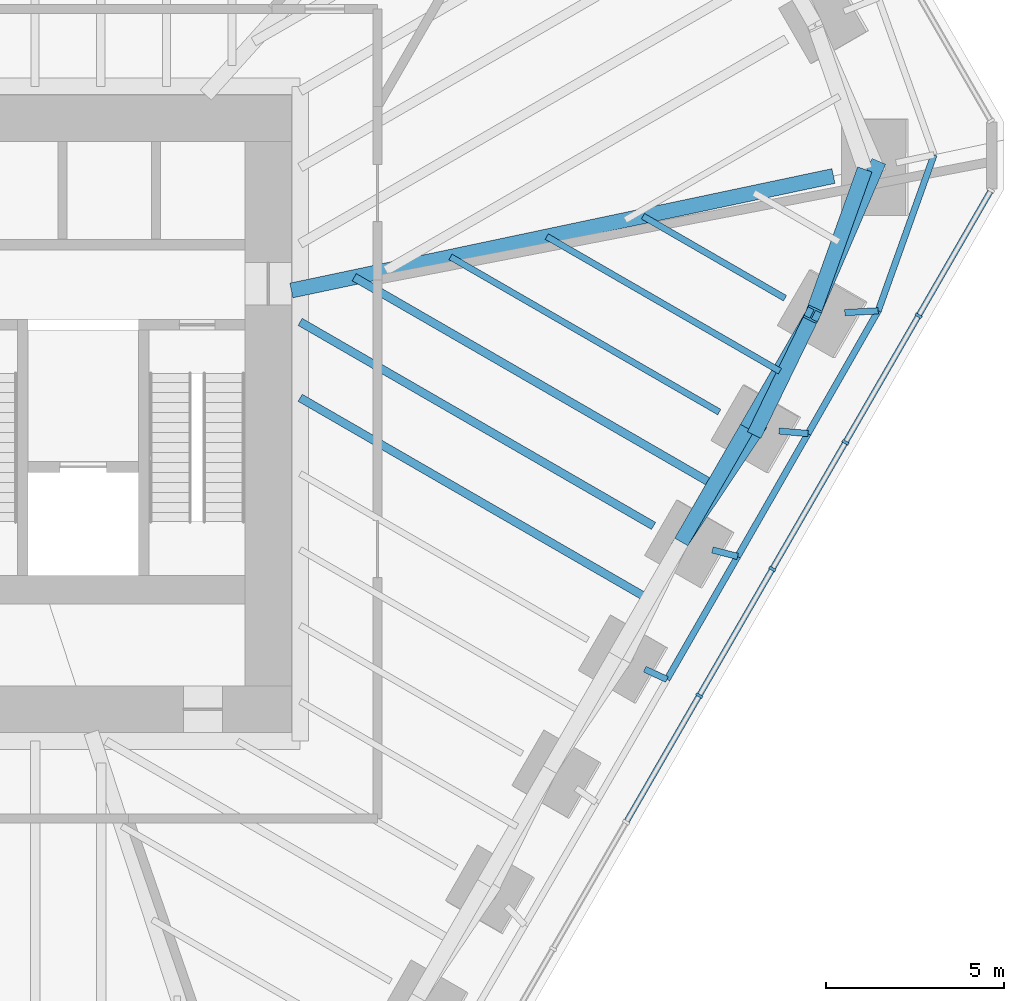
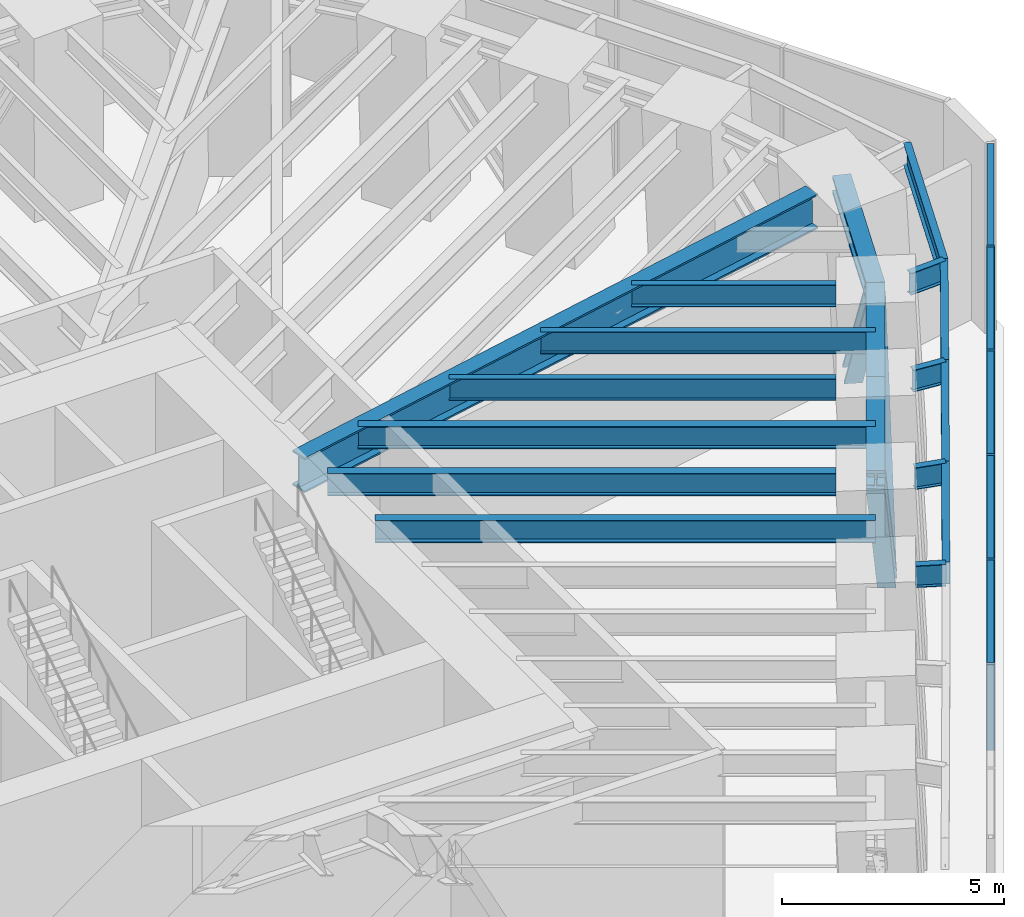
# One storey, part 5 of 12: 18 beams, 12 members, 1 element without a shape of its own.
"""IFC4 building model written with IfcOpenShell, lengths in metres."""

from ifc_helpers import new_model, si_unit, direction, frame, origin, origin_2d, place, context, subcontext, project, spatial, rectangle, i_section, extrude, material, material_profile, profile_set, type_object, element, aggregate, save


model = new_model("IFC4")

# Units and contexts
model_context = context("Model", 3, precision=1e-05, world=origin(), true_north=direction((0.0, 1.0)))
body_context = subcontext(model_context, "Body", "Model", "MODEL_VIEW")
ifc_project = project(units=[si_unit("LENGTHUNIT", "METRE"), si_unit("AREAUNIT", "SQUARE_METRE"), si_unit("VOLUMEUNIT", "CUBIC_METRE"), si_unit("PLANEANGLEUNIT", "RADIAN"), si_unit("MASSUNIT", "GRAM", prefix="KILO")], contexts=[model_context])

# Site, building, storey
site_placement = place(None, origin())
site = spatial("IfcSite", under=ifc_project, at=site_placement, CompositionType="ELEMENT")
building_placement = place(site_placement, origin())
building = spatial("IfcBuilding", under=site, at=building_placement, Name="Sandreach Pilgrim Tower", CompositionType="ELEMENT")
storey_placement = place(building_placement, frame((0.0, 0.0, 172.800048828125)))
storey = spatial("IfcBuildingStorey", under=building, at=storey_placement, Name="L43", CompositionType="ELEMENT", Elevation=172.800048828125)

# Beams
ifc_material_1 = material(Name="Steel ASTM A913 Grade 65", Category="steel")
ifc_material_profile_1 = material_profile(ifc_material_1, i_section(OverallWidth=0.4267578125, OverallDepth=0.482666015625, WebThickness=0.05126953125, FlangeThickness=0.08154296875, at=origin_2d()), Name="W14X455")
ifc_profile_set_1 = profile_set([ifc_material_profile_1], Name="Steel ASTM A913 Grade 65")
beam_type_1 = type_object("IfcBeamType", Name="Belt truss chord W14X455", PredefinedType="BEAM", material=ifc_profile_set_1)
beam_1_placement = place(storey_placement, frame((25.156494140625, 5.311279296875, 4.99853515625), z_axis=(-0.337863470932, -0.941195131208, 0.0), x_axis=(0.941195131208, -0.337863470932, 0.0)))
element("IfcBeam", 1, at=beam_1_placement, inside=storey, type_object=beam_type_1, Name="BM L43 BTT13", PredefinedType="BEAM", context=body_context, shape_type="SweptSolid", body=[
    extrude(i_section(OverallWidth=0.4267578125, OverallDepth=0.482666015625, WebThickness=0.05126953125, FlangeThickness=0.08154296875, at=origin_2d()), origin(), (0.0, 0.0, 1.0), 4.3232421875),
])
for number, where, z_axis, x_axis, name in (
    (2, (23.69580078125, 1.2421875, 4.99853515625), (-0.499993363642, -0.866029235253, 0.0), (0.866029235253, -0.499993363642, 0.0), "BM L43 BTT14"),
    (3, (21.849609375, -1.95556640625, 4.99853515625), (-0.499993363642, -0.866029235253, 0.0), (0.866029235253, -0.499993363642, 0.0), "BM L43 BTT15"),
):
    element("IfcBeam", number, at=place(storey_placement, frame(where, z_axis=z_axis, x_axis=x_axis)), inside=storey, type_object=beam_type_1, Name=name, PredefinedType="BEAM", context=body_context, shape_type="SweptSolid", body=[
        extrude(i_section(OverallWidth=0.4267578125, OverallDepth=0.482666015625, WebThickness=0.05126953125, FlangeThickness=0.08154296875, at=origin_2d()), origin(), (0.0, 0.0, 1.0), 3.6923828125),
    ])

# Members
ifc_material_2 = material(Name="Steel ASTM A913 Grade 65", Category="steel")
ifc_material_profile_2 = material_profile(ifc_material_2, i_section(OverallWidth=0.419189453125, OverallDepth=0.45458984375, WebThickness=0.042236328125, FlangeThickness=0.067626953125, at=origin_2d()), Name="W14X370")
ifc_profile_set_2 = profile_set([ifc_material_profile_2], Name="Steel ASTM A913 Grade 65")
member_type_1 = type_object("IfcMemberType", Name="Belt truss diagonal W14X370", PredefinedType="BRACE", material=ifc_profile_set_2)
member_1_placement = place(storey_placement, frame((25.482177734375, 5.380126953125, -0.4013671875), z_axis=(-0.253974786614, -0.588303766341, 0.76772096902), x_axis=(0.918099538658, -0.396349892286, 0.0)))
element("IfcMember", 4, at=member_1_placement, inside=storey, type_object=member_type_1, Name="Belt truss diagonal L43 bay 13", PredefinedType="BRACE", context=body_context, shape_type="SweptSolid", body=[
    extrude(i_section(OverallWidth=0.419189453125, OverallDepth=0.45458984375, WebThickness=0.042236328125, FlangeThickness=0.067626953125, at=origin_2d()), origin(), (0.0, 0.0, 1.0), 7.03369140625),
])
member_2_placement = place(storey_placement, frame((23.69580078125, 1.2421875, 4.99853515625), z_axis=(-0.241596290255, -0.49731991699, -0.833249142034), x_axis=(0.899479083515, -0.436963818088, 0.0)))
element("IfcMember", 5, at=member_2_placement, inside=storey, type_object=member_type_1, Name="Belt truss diagonal L43 bay 14", PredefinedType="BRACE", context=body_context, shape_type="SweptSolid", body=[
    extrude(i_section(OverallWidth=0.419189453125, OverallDepth=0.45458984375, WebThickness=0.042236328125, FlangeThickness=0.067626953125, at=origin_2d()), origin(), (0.0, 0.0, 1.0), 6.48046875),
])
member_3_placement = place(storey_placement, frame((22.130126953125, -1.980712890625, -0.4013671875), z_axis=(-0.321538192631, -0.479668099327, 0.816413930043), x_axis=(0.830641378914, -0.5568077762, 0.0)))
element("IfcMember", 6, at=member_3_placement, inside=storey, type_object=member_type_1, Name="Belt truss diagonal L43 bay 15", PredefinedType="BRACE", context=body_context, shape_type="SweptSolid", body=[
    extrude(i_section(OverallWidth=0.419189453125, OverallDepth=0.45458984375, WebThickness=0.042236328125, FlangeThickness=0.067626953125, at=origin_2d()), origin(), (0.0, 0.0, 1.0), 6.6142578125),
])

# Curtain wall, members
ifc_material_3 = material(Name="Aluminium framed curtain wall", Category="aluminium")
curtain_wall_type = type_object("IfcCurtainWallType", Name="Plant storey louvred curtain wall", PredefinedType="NOTDEFINED", material=ifc_material_3)
curtain_wall_placement = place(storey_placement, origin())
curtain_wall = element("IfcCurtainWall", 7, at=curtain_wall_placement, inside=storey, type_object=curtain_wall_type, Name="CW-L L43 SE", PredefinedType="NOTDEFINED")
ifc_material_4 = material(Name="Aluminium extrusion", Category="aluminium")
ifc_material_profile_3 = material_profile(ifc_material_4, rectangle(XDim=0.080078125, YDim=0.199951171875, at=origin_2d()), Name="CW-LM 80X200")
ifc_profile_set_3 = profile_set([ifc_material_profile_3], Name="Aluminium extrusion")
member_type_2 = type_object("IfcMemberType", Name="CW-L mullion", PredefinedType="MULLION", material=ifc_profile_set_3)
member_4_placement = place(storey_placement, frame((26.66748046875, 1.20166015625, 0.0), z_axis=(0.0, 0.0, 1.0), x_axis=(-0.5, -0.866025403784, 0.0)))
member_4 = element("IfcMember", 8, at=member_4_placement, type_object=member_type_2, Name="CW-L mullion 2", PredefinedType="MULLION", context=body_context, shape_type="SweptSolid", body=[
    extrude(rectangle(XDim=0.080078125, YDim=0.199951171875, at=origin_2d()), origin(), (0.0, 0.0, 1.0), 5.239990234375),
])
member_5_placement = place(storey_placement, frame((24.614013671875, -2.35498046875, 0.0), z_axis=(0.0, 0.0, 1.0), x_axis=(-0.5, -0.866025403784, 0.0)))
member_5 = element("IfcMember", 9, at=member_5_placement, type_object=member_type_2, Name="CW-L mullion 3", PredefinedType="MULLION", context=body_context, shape_type="SweptSolid", body=[
    extrude(rectangle(XDim=0.080078125, YDim=0.199951171875, at=origin_2d()), origin(), (0.0, 0.0, 1.0), 5.239990234375),
])
member_6_placement = place(storey_placement, frame((22.560302734375, -5.911865234375, 0.0), z_axis=(0.0, 0.0, 1.0), x_axis=(-0.5, -0.866025403784, 0.0)))
member_6 = element("IfcMember", 10, at=member_6_placement, type_object=member_type_2, Name="CW-L mullion 4", PredefinedType="MULLION", context=body_context, shape_type="SweptSolid", body=[
    extrude(rectangle(XDim=0.080078125, YDim=0.199951171875, at=origin_2d()), origin(), (0.0, 0.0, 1.0), 5.239990234375),
])
member_7_placement = place(storey_placement, frame((20.5068359375, -9.468505859375, 0.0), z_axis=(0.0, 0.0, 1.0), x_axis=(-0.5, -0.866025403784, 0.0)))
member_7 = element("IfcMember", 11, at=member_7_placement, type_object=member_type_2, Name="CW-L mullion 5", PredefinedType="MULLION", context=body_context, shape_type="SweptSolid", body=[
    extrude(rectangle(XDim=0.080078125, YDim=0.199951171875, at=origin_2d()), origin(), (0.0, 0.0, 1.0), 5.239990234375),
])
ifc_material_5 = material(Name="Aluminium extrusion", Category="aluminium")
ifc_material_profile_4 = material_profile(ifc_material_5, rectangle(XDim=0.159912109375, YDim=0.070068359375, at=origin_2d()), Name="CW-LT 160X70")
ifc_profile_set_4 = profile_set([ifc_material_profile_4], Name="Aluminium extrusion")
member_type_3 = type_object("IfcMemberType", Name="CW-L transom", PredefinedType="USERDEFINED", material=ifc_profile_set_4)
member_8_placement = place(storey_placement, frame((28.680908203125, 4.689208984375, 5.204833984375), z_axis=(-0.499978650921, -0.86603772933, 0.0), x_axis=(0.86603772933, -0.499978650921, 0.0)))
member_8 = element("IfcMember", 12, at=member_8_placement, type_object=member_type_3, Name="CW-L head transom 1", ObjectType="TRANSOM", PredefinedType="USERDEFINED", context=body_context, shape_type="SweptSolid", body=[
    extrude(rectangle(XDim=0.159912109375, YDim=0.070068359375, at=origin_2d()), origin(), (0.0, 0.0, 1.0), 3.987060546875),
])
member_9_placement = place(storey_placement, frame((26.6474609375, 1.1669921875, 5.204833984375), z_axis=(-0.500051323872, -0.865995769906, 0.0), x_axis=(0.865995769906, -0.500051323872, 0.0)))
member_9 = element("IfcMember", 13, at=member_9_placement, type_object=member_type_3, Name="CW-L head transom 2", ObjectType="TRANSOM", PredefinedType="USERDEFINED", context=body_context, shape_type="SweptSolid", body=[
    extrude(rectangle(XDim=0.159912109375, YDim=0.070068359375, at=origin_2d()), origin(), (0.0, 0.0, 1.0), 4.02685546875),
])
member_10_placement = place(storey_placement, frame((24.593994140625, -2.3896484375, 5.204833984375), z_axis=(-0.500025070972, -0.866010928568, 0.0), x_axis=(0.866010928568, -0.500025070972, 0.0)))
member_10 = element("IfcMember", 14, at=member_10_placement, type_object=member_type_3, Name="CW-L head transom 3", ObjectType="TRANSOM", PredefinedType="USERDEFINED", context=body_context, shape_type="SweptSolid", body=[
    extrude(rectangle(XDim=0.159912109375, YDim=0.070068359375, at=origin_2d()), origin(), (0.0, 0.0, 1.0), 4.027099609375),
])
member_11_placement = place(storey_placement, frame((22.54052734375, -5.946533203125, 5.204833984375), z_axis=(-0.500051323872, -0.865995769906, 0.0), x_axis=(0.865995769906, -0.500051323872, 0.0)))
member_11 = element("IfcMember", 15, at=member_11_placement, type_object=member_type_3, Name="CW-L head transom 4", ObjectType="TRANSOM", PredefinedType="USERDEFINED", context=body_context, shape_type="SweptSolid", body=[
    extrude(rectangle(XDim=0.159912109375, YDim=0.070068359375, at=origin_2d()), origin(), (0.0, 0.0, 1.0), 4.02685546875),
])
member_12_placement = place(storey_placement, frame((20.48681640625, -9.503173828125, 5.204833984375), z_axis=(-0.499979602577, -0.866037179922, 0.0), x_axis=(0.866037179922, -0.499979602577, 0.0)))
member_12 = element("IfcMember", 16, at=member_12_placement, type_object=member_type_3, Name="CW-L head transom 5", ObjectType="TRANSOM", PredefinedType="USERDEFINED", context=body_context, shape_type="SweptSolid", body=[
    extrude(rectangle(XDim=0.159912109375, YDim=0.070068359375, at=origin_2d()), origin(), (0.0, 0.0, 1.0), 4.027099609375),
])
aggregate(curtain_wall, [member_4, member_5, member_6, member_7, member_8, member_9, member_10, member_11, member_12])

# Beams
ifc_material_6 = material(Name="Steel ASTM A992 Grade 50", Category="steel")
ifc_material_profile_5 = material_profile(ifc_material_6, i_section(OverallWidth=0.421630859375, OverallDepth=0.95751953125, WebThickness=0.02587890625, FlangeThickness=0.046875, at=origin_2d()), Name="W36X330")
ifc_profile_set_5 = profile_set([ifc_material_profile_5], Name="Steel ASTM A992 Grade 50")
beam_type_2 = type_object("IfcBeamType", Name="Corner girder W36X330", PredefinedType="BEAM", material=ifc_profile_set_5)
beam_2_placement = place(storey_placement, frame((24.27587890625, 5.12548828125, 4.76123046875), z_axis=(-0.97842776606, -0.206589221895, 0.0), x_axis=(0.206589221895, -0.97842776606, 0.0)))
element("IfcBeam", 17, at=beam_2_placement, inside=storey, type_object=beam_type_2, Name="BM L43 CG13", PredefinedType="BEAM", context=body_context, shape_type="SweptSolid", body=[
    extrude(i_section(OverallWidth=0.421630859375, OverallDepth=0.95751953125, WebThickness=0.02587890625, FlangeThickness=0.046875, at=origin_2d()), origin(), (0.0, 0.0, 1.0), 15.5615234375),
])
ifc_material_7 = material(Name="Steel ASTM A992 Grade 50", Category="steel")
ifc_material_profile_6 = material_profile(ifc_material_7, i_section(OverallWidth=0.1787109375, OverallDepth=0.60205078125, WebThickness=0.010986328125, FlangeThickness=0.014892578125, at=origin_2d()), Name="W24X62")
ifc_profile_set_6 = profile_set([ifc_material_profile_6], Name="Steel ASTM A992 Grade 50")
beam_type_3 = type_object("IfcBeamType", Name="Floor beam W24X62", PredefinedType="BEAM", material=ifc_profile_set_6)
beam_3_placement = place(storey_placement, frame((22.91650390625, 1.692138671875, 4.93896484375), z_axis=(-0.866030286288, 0.49999154316, 0.0), x_axis=(-0.49999154316, -0.866030286288, 0.0)))
element("IfcBeam", 18, at=beam_3_placement, inside=storey, type_object=beam_type_3, Name="BM L43 F14", PredefinedType="BEAM", context=body_context, shape_type="SweptSolid", body=[
    extrude(i_section(OverallWidth=0.1787109375, OverallDepth=0.60205078125, WebThickness=0.010986328125, FlangeThickness=0.014892578125, at=origin_2d()), origin(), (0.0, 0.0, 1.0), 4.607421875),
])
beam_4_placement = place(storey_placement, frame((21.070068359375, -1.505615234375, 4.93896484375), z_axis=(-0.866018660621, 0.50001167932, 0.0), x_axis=(-0.50001167932, -0.866018660621, 0.0)))
element("IfcBeam", 19, at=beam_4_placement, inside=storey, type_object=beam_type_3, Name="BM L43 F15", PredefinedType="BEAM", context=body_context, shape_type="SweptSolid", body=[
    extrude(i_section(OverallWidth=0.1787109375, OverallDepth=0.60205078125, WebThickness=0.010986328125, FlangeThickness=0.014892578125, at=origin_2d()), origin(), (0.0, 0.0, 1.0), 8.719482421875),
])
beam_5_placement = place(storey_placement, frame((22.772705078125, -0.356689453125, 4.93896484375), z_axis=(-0.866029704776, 0.49999255039, 0.0), x_axis=(-0.49999255039, -0.866029704776, 0.0)))
element("IfcBeam", 20, at=beam_5_placement, inside=storey, type_object=beam_type_3, Name="BM L43 FM14", PredefinedType="BEAM", context=body_context, shape_type="SweptSolid", body=[
    extrude(i_section(OverallWidth=0.1787109375, OverallDepth=0.60205078125, WebThickness=0.010986328125, FlangeThickness=0.014892578125, at=origin_2d()), origin(), (0.0, 0.0, 1.0), 7.5634765625),
])
ifc_material_8 = material(Name="Steel ASTM A992 Grade 50", Category="steel")
ifc_material_profile_7 = material_profile(ifc_material_8, i_section(OverallWidth=0.23046875, OverallDepth=0.6171875, WebThickness=0.01318359375, FlangeThickness=0.022216796875, at=origin_2d()), Name="W24X94")
ifc_profile_set_7 = profile_set([ifc_material_profile_7], Name="Steel ASTM A992 Grade 50")
beam_type_4 = type_object("IfcBeamType", Name="Floor beam W24X94", PredefinedType="BEAM", material=ifc_profile_set_7)
beam_6_placement = place(storey_placement, frame((19.223876953125, -4.703369140625, 4.931396484375), z_axis=(-0.866028828302, 0.499994068514, 0.0), x_axis=(-0.499994068514, -0.866028828302, 0.0)))
element("IfcBeam", 21, at=beam_6_placement, inside=storey, type_object=beam_type_4, Name="BM L43 F16", PredefinedType="BEAM", context=body_context, shape_type="SweptSolid", body=[
    extrude(i_section(OverallWidth=0.23046875, OverallDepth=0.6171875, WebThickness=0.01318359375, FlangeThickness=0.022216796875, at=origin_2d()), origin(), (0.0, 0.0, 1.0), 11.463623046875),
])
beam_7_placement = place(storey_placement, frame((20.926513671875, -3.554443359375, 4.931396484375), z_axis=(-0.866026454974, 0.499998179282, 0.0), x_axis=(-0.499998179282, -0.866026454974, 0.0)))
element("IfcBeam", 22, at=beam_7_placement, inside=storey, type_object=beam_type_4, Name="BM L43 FM15", PredefinedType="BEAM", context=body_context, shape_type="SweptSolid", body=[
    extrude(i_section(OverallWidth=0.23046875, OverallDepth=0.6171875, WebThickness=0.01318359375, FlangeThickness=0.022216796875, at=origin_2d()), origin(), (0.0, 0.0, 1.0), 11.67578125),
])
beam_8_placement = place(storey_placement, frame((19.080322265625, -6.752197265625, 4.931396484375), z_axis=(-0.866033725945, 0.499985585318, 0.0), x_axis=(-0.499985585318, -0.866033725945, 0.0)))
element("IfcBeam", 23, at=beam_8_placement, inside=storey, type_object=beam_type_4, Name="BM L43 FM16", PredefinedType="BEAM", context=body_context, shape_type="SweptSolid", body=[
    extrude(i_section(OverallWidth=0.23046875, OverallDepth=0.6171875, WebThickness=0.01318359375, FlangeThickness=0.022216796875, at=origin_2d()), origin(), (0.0, 0.0, 1.0), 11.297607421875),
])
ifc_material_9 = material(Name="Steel ASTM A992 Grade 50", Category="steel")
ifc_material_profile_8 = material_profile(ifc_material_9, i_section(OverallWidth=0.1787109375, OverallDepth=0.60205078125, WebThickness=0.010986328125, FlangeThickness=0.014892578125, at=origin_2d()), Name="W24X62")
ifc_profile_set_8 = profile_set([ifc_material_profile_8], Name="Steel ASTM A992 Grade 50")
beam_type_5 = type_object("IfcBeamType", Name="Setback roof edge beam W24X62", PredefinedType="BEAM", material=ifc_profile_set_8)
beam_9_placement = place(storey_placement, frame((27.101806640625, 5.72216796875, 4.89892578125), z_axis=(-0.336824688173, -0.941567379128, 0.0), x_axis=(0.941567379128, -0.336824688173, 0.0)))
element("IfcBeam", 24, at=beam_9_placement, inside=storey, type_object=beam_type_5, Name="BM L43 RE13", PredefinedType="BEAM", context=body_context, shape_type="SweptSolid", body=[
    extrude(i_section(OverallWidth=0.1787109375, OverallDepth=0.60205078125, WebThickness=0.010986328125, FlangeThickness=0.014892578125, at=origin_2d()), origin(), (0.0, 0.0, 1.0), 4.655517578125),
])
beam_10_placement = place(storey_placement, frame((25.53369140625, 1.338623046875, 4.89892578125), z_axis=(-0.496271352327, -0.868167463603, 0.0), x_axis=(0.868167463603, -0.496271352327, 0.0)))
element("IfcBeam", 25, at=beam_10_placement, inside=storey, type_object=beam_type_5, Name="BM L43 RE14", PredefinedType="BEAM", context=body_context, shape_type="SweptSolid", body=[
    extrude(i_section(OverallWidth=0.1787109375, OverallDepth=0.60205078125, WebThickness=0.010986328125, FlangeThickness=0.014892578125, at=origin_2d()), origin(), (0.0, 0.0, 1.0), 3.970947265625),
])
beam_11_placement = place(storey_placement, frame((23.56298828125, -2.10888671875, 4.89892578125), z_axis=(-0.496925234491, -0.867793357503, 0.0), x_axis=(0.867793357503, -0.496925234491, 0.0)))
element("IfcBeam", 26, at=beam_11_placement, inside=storey, type_object=beam_type_5, Name="BM L43 RE15", PredefinedType="BEAM", context=body_context, shape_type="SweptSolid", body=[
    extrude(i_section(OverallWidth=0.1787109375, OverallDepth=0.60205078125, WebThickness=0.010986328125, FlangeThickness=0.014892578125, at=origin_2d()), origin(), (0.0, 0.0, 1.0), 3.97802734375),
])
beam_12_placement = place(storey_placement, frame((21.586181640625, -5.56103515625, 4.89892578125), z_axis=(-0.498255813685, -0.867030071064, 0.0), x_axis=(0.867030071064, -0.498255813685, 0.0)))
element("IfcBeam", 27, at=beam_12_placement, inside=storey, type_object=beam_type_5, Name="BM L43 RE16", PredefinedType="BEAM", context=body_context, shape_type="SweptSolid", body=[
    extrude(i_section(OverallWidth=0.1787109375, OverallDepth=0.60205078125, WebThickness=0.010986328125, FlangeThickness=0.014892578125, at=origin_2d()), origin(), (0.0, 0.0, 1.0), 3.984130859375),
])
ifc_material_10 = material(Name="Steel ASTM A992 Grade 50", Category="steel")
ifc_material_profile_9 = material_profile(ifc_material_10, i_section(OverallWidth=0.1787109375, OverallDepth=0.60205078125, WebThickness=0.010986328125, FlangeThickness=0.014892578125, at=origin_2d()), Name="W24X62")
ifc_profile_set_9 = profile_set([ifc_material_profile_9], Name="Steel ASTM A992 Grade 50")
beam_type_6 = type_object("IfcBeamType", Name="Setback roof outlooker W24X62", PredefinedType="BEAM", material=ifc_profile_set_9)
beam_13_placement = place(storey_placement, frame((24.5947265625, 1.289306640625, 4.89892578125), z_axis=(0.998623561558, 0.052449807445, 0.0), x_axis=(-0.052449807445, 0.998623561558, 0.0)))
element("IfcBeam", 28, at=beam_13_placement, inside=storey, type_object=beam_type_6, Name="BM L43 OL14", PredefinedType="BEAM", context=body_context, shape_type="SweptSolid", body=[
    extrude(i_section(OverallWidth=0.1787109375, OverallDepth=0.60205078125, WebThickness=0.010986328125, FlangeThickness=0.014892578125, at=origin_2d()), origin(), (0.0, 0.0, 1.0), 0.940185546875),
])
beam_14_placement = place(storey_placement, frame((22.74609375, -2.035888671875, 4.89892578125), z_axis=(0.996031110528, -0.089005768693, 0.0), x_axis=(0.089005768693, 0.996031110528, 0.0)))
element("IfcBeam", 29, at=beam_14_placement, inside=storey, type_object=beam_type_6, Name="BM L43 OL15", PredefinedType="BEAM", context=body_context, shape_type="SweptSolid", body=[
    extrude(i_section(OverallWidth=0.1787109375, OverallDepth=0.60205078125, WebThickness=0.010986328125, FlangeThickness=0.014892578125, at=origin_2d()), origin(), (0.0, 0.0, 1.0), 0.820068359375),
])
beam_15_placement = place(storey_placement, frame((20.875, -5.3779296875, 4.89892578125), z_axis=(0.968417285616, -0.249335037491, 0.0), x_axis=(0.249335037491, 0.968417285616, 0.0)))
element("IfcBeam", 30, at=beam_15_placement, inside=storey, type_object=beam_type_6, Name="BM L43 OL16", PredefinedType="BEAM", context=body_context, shape_type="SweptSolid", body=[
    extrude(i_section(OverallWidth=0.1787109375, OverallDepth=0.60205078125, WebThickness=0.010986328125, FlangeThickness=0.014892578125, at=origin_2d()), origin(), (0.0, 0.0, 1.0), 0.734375),
])
beam_16_placement = place(storey_placement, frame((18.974853515625, -8.727294921875, 4.89892578125), z_axis=(0.908477005217, -0.417934840606, 0.0), x_axis=(0.417934840606, 0.908477005217, 0.0)))
element("IfcBeam", 31, at=beam_16_placement, inside=storey, type_object=beam_type_6, Name="BM L43 OL17", PredefinedType="BEAM", context=body_context, shape_type="SweptSolid", body=[
    extrude(i_section(OverallWidth=0.1787109375, OverallDepth=0.60205078125, WebThickness=0.010986328125, FlangeThickness=0.014892578125, at=origin_2d()), origin(), (0.0, 0.0, 1.0), 0.689208984375),
])

save(model, "model.ifc")
